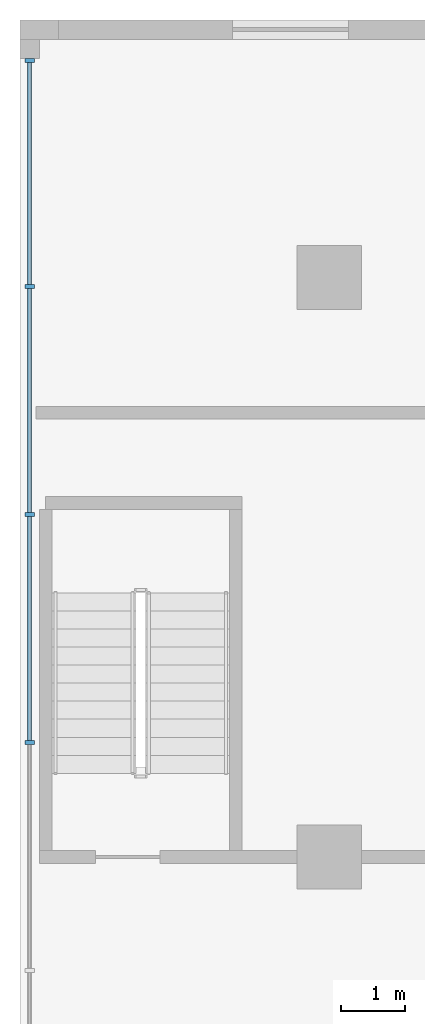
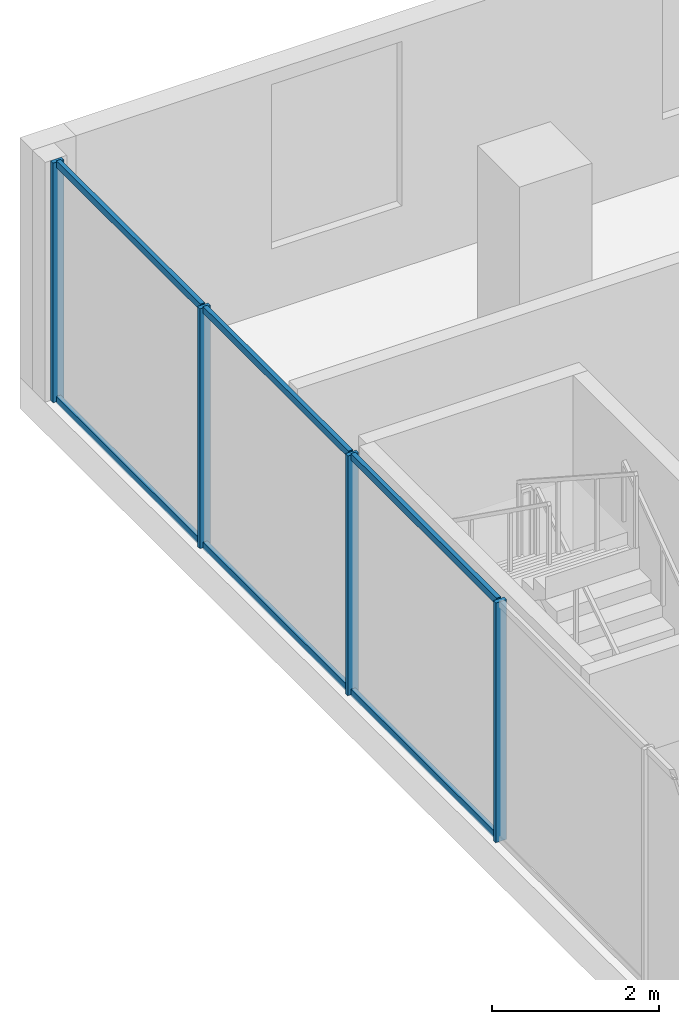
# One storey, part 11 of 45: 10 members, 1 element without a shape of its own.
"""IFC4 building model written with IfcOpenShell, lengths in metres."""

from ifc_helpers import new_model, si_unit, direction, frame, origin, origin_2d, place, context, subcontext, project, spatial, rectangle, hollow_rectangle, extrude, material, material_profile, profile_set, type_object, element, aggregate, save


model = new_model("IFC4")

# Units and contexts
model_context = context("Model", 3, precision=1e-05, world=origin(), true_north=direction((0.0, 1.0)))
body_context = subcontext(model_context, "Body", "Model", "MODEL_VIEW")
ifc_project = project(units=[si_unit("LENGTHUNIT", "METRE"), si_unit("AREAUNIT", "SQUARE_METRE"), si_unit("VOLUMEUNIT", "CUBIC_METRE"), si_unit("PLANEANGLEUNIT", "RADIAN"), si_unit("MASSUNIT", "GRAM", prefix="KILO")], contexts=[model_context])

# Site, building, storey
site_placement = place(None, origin())
site = spatial("IfcSite", under=ifc_project, at=site_placement, CompositionType="ELEMENT")
building_placement = place(site_placement, origin())
building = spatial("IfcBuilding", under=site, at=building_placement, Name="Beryl Residences", CompositionType="ELEMENT")
storey_placement = place(building_placement, frame((0.0, 0.0, 5.0)))
storey = spatial("IfcBuildingStorey", under=building, at=storey_placement, Name="L01", CompositionType="ELEMENT", Elevation=5.0)

# Curtain wall, members
ifc_material_1 = material(Name="Aluminium and clear glass", Category="aluminium")
curtain_wall_type = type_object("IfcCurtainWallType", Name="CW1 shopfront glazed wall", PredefinedType="NOTDEFINED", material=ifc_material_1)
curtain_wall_placement = place(storey_placement, origin())
curtain_wall = element("IfcCurtainWall", 1, at=curtain_wall_placement, inside=storey, type_object=curtain_wall_type, Name="CW1 L01 W", PredefinedType="NOTDEFINED")
ifc_material_2 = material(Name="Aluminium", Category="aluminium")
ifc_material_profile_1 = material_profile(ifc_material_2, rectangle(XDim=0.06005859375, YDim=0.14990234375, at=origin_2d()))
ifc_profile_set_1 = profile_set([ifc_material_profile_1], Name="Aluminium")
member_type_1 = type_object("IfcMemberType", Name="CW1-M mullion 60 x 150 mm", PredefinedType="MULLION", material=ifc_profile_set_1)
member_1_placement = place(storey_placement, frame((-47.85009765625, 39.3701171875, 0.0), z_axis=(0.0, 0.0, 1.0), x_axis=(0.0, -1.0, 0.0)))
member_1 = element("IfcMember", 2, at=member_1_placement, type_object=member_type_1, Name="CW1 mullion 1", PredefinedType="MULLION", context=body_context, shape_type="SweptSolid", body=[
    extrude(rectangle(XDim=0.06005859375, YDim=0.14990234375, at=origin_2d()), origin(), (0.0, 0.0, 1.0), 3.5),
])
member_2_placement = place(storey_placement, frame((-47.85009765625, 35.860107421875, 0.0), z_axis=(0.0, 0.0, 1.0), x_axis=(0.0, -1.0, 0.0)))
member_2 = element("IfcMember", 3, at=member_2_placement, type_object=member_type_1, Name="CW1 mullion 2", PredefinedType="MULLION", context=body_context, shape_type="SweptSolid", body=[
    extrude(rectangle(XDim=0.06005859375, YDim=0.14990234375, at=origin_2d()), origin(), (0.0, 0.0, 1.0), 3.5),
])
member_3_placement = place(storey_placement, frame((-47.85009765625, 32.320068359375, 0.0), z_axis=(0.0, 0.0, 1.0), x_axis=(0.0, -1.0, 0.0)))
member_3 = element("IfcMember", 4, at=member_3_placement, type_object=member_type_1, Name="CW1 mullion 3", PredefinedType="MULLION", context=body_context, shape_type="SweptSolid", body=[
    extrude(rectangle(XDim=0.06005859375, YDim=0.14990234375, at=origin_2d()), origin(), (0.0, 0.0, 1.0), 3.5),
])
member_4_placement = place(storey_placement, frame((-47.85009765625, 28.780029296875, 0.0), z_axis=(0.0, 0.0, 1.0), x_axis=(0.0, -1.0, 0.0)))
member_4 = element("IfcMember", 5, at=member_4_placement, type_object=member_type_1, Name="CW1 mullion 4", PredefinedType="MULLION", context=body_context, shape_type="SweptSolid", body=[
    extrude(rectangle(XDim=0.06005859375, YDim=0.14990234375, at=origin_2d()), origin(), (0.0, 0.0, 1.0), 3.5),
])
ifc_material_3 = material(Name="Aluminium", Category="aluminium")
ifc_material_profile_2 = material_profile(ifc_material_3, hollow_rectangle(XDim=0.06005859375, YDim=0.10009765625, WallThickness=0.00390625, at=origin_2d()))
ifc_profile_set_2 = profile_set([ifc_material_profile_2], Name="Aluminium")
member_type_2 = type_object("IfcMemberType", Name="CW1-T transom 60 x 100 mm", PredefinedType="USERDEFINED", material=ifc_profile_set_2)
member_5_placement = place(storey_placement, frame((-47.85009765625, 39.340087890625, 0.030029296875), z_axis=(0.0, -1.0, 0.0), x_axis=(1.0, 0.0, 0.0)))
member_5 = element("IfcMember", 6, at=member_5_placement, type_object=member_type_2, Name="CW1 transom 1.1", ObjectType="TRANSOM", PredefinedType="USERDEFINED", context=body_context, shape_type="SweptSolid", body=[
    extrude(hollow_rectangle(XDim=0.06005859375, YDim=0.10009765625, WallThickness=0.00390625, at=origin_2d()), origin(), (0.0, 0.0, 1.0), 3.4501953125),
])
member_6_placement = place(storey_placement, frame((-47.85009765625, 39.340087890625, 3.469970703125), z_axis=(0.0, -1.0, 0.0), x_axis=(1.0, 0.0, 0.0)))
member_6 = element("IfcMember", 7, at=member_6_placement, type_object=member_type_2, Name="CW1 transom 1.2", ObjectType="TRANSOM", PredefinedType="USERDEFINED", context=body_context, shape_type="SweptSolid", body=[
    extrude(hollow_rectangle(XDim=0.06005859375, YDim=0.10009765625, WallThickness=0.00390625, at=origin_2d()), origin(), (0.0, 0.0, 1.0), 3.4501953125),
])
member_7_placement = place(storey_placement, frame((-47.85009765625, 35.830078125, 0.030029296875), z_axis=(0.0, -1.0, 0.0), x_axis=(1.0, 0.0, 0.0)))
member_7 = element("IfcMember", 8, at=member_7_placement, type_object=member_type_2, Name="CW1 transom 2.1", ObjectType="TRANSOM", PredefinedType="USERDEFINED", context=body_context, shape_type="SweptSolid", body=[
    extrude(hollow_rectangle(XDim=0.06005859375, YDim=0.10009765625, WallThickness=0.00390625, at=origin_2d()), origin(), (0.0, 0.0, 1.0), 3.47998046875),
])
member_8_placement = place(storey_placement, frame((-47.85009765625, 35.830078125, 3.469970703125), z_axis=(0.0, -1.0, 0.0), x_axis=(1.0, 0.0, 0.0)))
member_8 = element("IfcMember", 9, at=member_8_placement, type_object=member_type_2, Name="CW1 transom 2.2", ObjectType="TRANSOM", PredefinedType="USERDEFINED", context=body_context, shape_type="SweptSolid", body=[
    extrude(hollow_rectangle(XDim=0.06005859375, YDim=0.10009765625, WallThickness=0.00390625, at=origin_2d()), origin(), (0.0, 0.0, 1.0), 3.47998046875),
])
member_9_placement = place(storey_placement, frame((-47.85009765625, 32.2900390625, 0.030029296875), z_axis=(0.0, -1.0, 0.0), x_axis=(1.0, 0.0, 0.0)))
member_9 = element("IfcMember", 10, at=member_9_placement, type_object=member_type_2, Name="CW1 transom 3.1", ObjectType="TRANSOM", PredefinedType="USERDEFINED", context=body_context, shape_type="SweptSolid", body=[
    extrude(hollow_rectangle(XDim=0.06005859375, YDim=0.10009765625, WallThickness=0.00390625, at=origin_2d()), origin(), (0.0, 0.0, 1.0), 3.47998046875),
])
member_10_placement = place(storey_placement, frame((-47.85009765625, 32.2900390625, 3.469970703125), z_axis=(0.0, -1.0, 0.0), x_axis=(1.0, 0.0, 0.0)))
member_10 = element("IfcMember", 11, at=member_10_placement, type_object=member_type_2, Name="CW1 transom 3.2", ObjectType="TRANSOM", PredefinedType="USERDEFINED", context=body_context, shape_type="SweptSolid", body=[
    extrude(hollow_rectangle(XDim=0.06005859375, YDim=0.10009765625, WallThickness=0.00390625, at=origin_2d()), origin(), (0.0, 0.0, 1.0), 3.47998046875),
])
aggregate(curtain_wall, [member_1, member_2, member_3, member_4, member_5, member_6, member_7, member_8, member_9, member_10])

save(model, "model.ifc")
